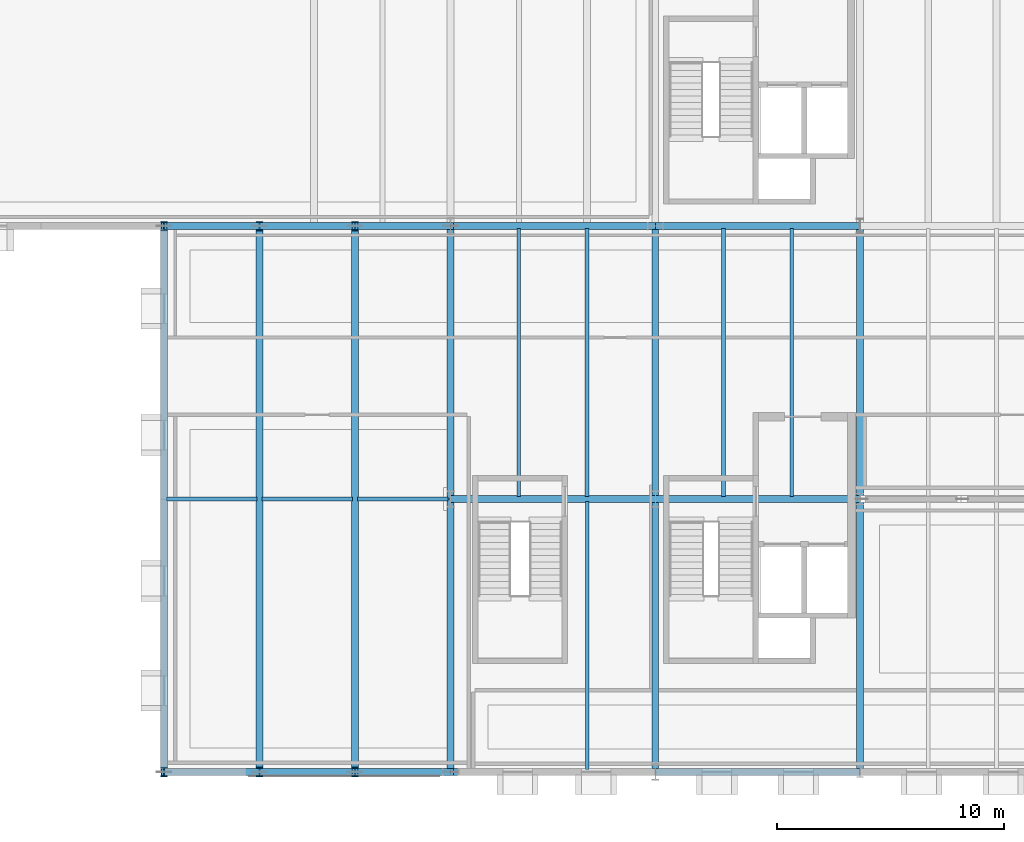
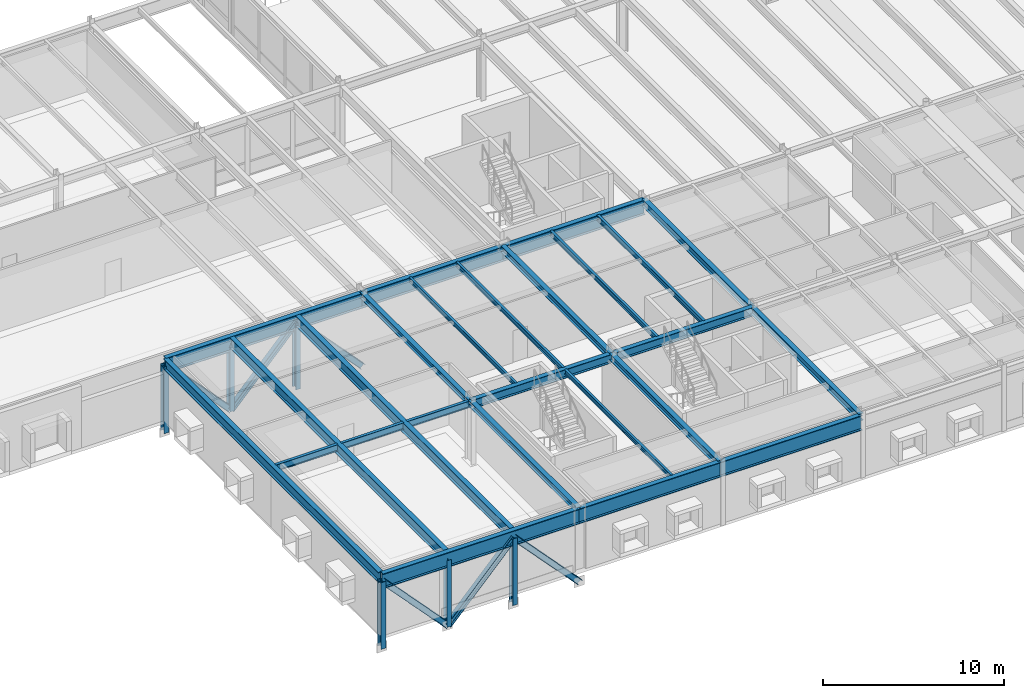
# One storey, part 19 of 127: 25 beams, 12 members.
"""IFC4 building model written with IfcOpenShell, lengths in metres."""

from ifc_helpers import new_model, si_unit, direction, frame, origin, origin_2d, place, context, subcontext, project, spatial, i_section, extrude, material, material_profile, profile_set, type_object, element, save


model = new_model("IFC4")

# Units and contexts
model_context = context("Model", 3, precision=1e-05, world=origin(), true_north=direction((0.0, 1.0)))
body_context = subcontext(model_context, "Body", "Model", "MODEL_VIEW")
ifc_project = project(units=[si_unit("LENGTHUNIT", "METRE"), si_unit("AREAUNIT", "SQUARE_METRE"), si_unit("VOLUMEUNIT", "CUBIC_METRE"), si_unit("PLANEANGLEUNIT", "RADIAN"), si_unit("MASSUNIT", "GRAM", prefix="KILO")], contexts=[model_context])

# Site, building, storey
site_placement = place(None, origin())
site = spatial("IfcSite", under=ifc_project, at=site_placement, CompositionType="ELEMENT")
building_placement = place(site_placement, origin())
building = spatial("IfcBuilding", under=site, at=building_placement, Name="Montelvaro Courts of Justice", CompositionType="ELEMENT")
storey_placement = place(building_placement, frame((0.0, 0.0, 5.39990234375)))
storey = spatial("IfcBuildingStorey", under=building, at=storey_placement, Name="L01", CompositionType="ELEMENT", Elevation=5.39990234375)

# Beams
ifc_material = material(Name="Steel S355", Category="steel")
ifc_material_profile_1 = material_profile(ifc_material, i_section(OverallWidth=0.300048828125, OverallDepth=0.389892578125, WebThickness=0.010986328125, FlangeThickness=0.01904296875, at=origin_2d()), Name="HEA 400")
ifc_profile_set_1 = profile_set([ifc_material_profile_1], Name="Steel S355")
beam_type_1 = type_object("IfcBeamType", Name="Beam_HEA400", PredefinedType="USERDEFINED", material=ifc_profile_set_1)
for number, where, z_axis, x_axis, name in (
    (1, (45.0, 0.0, 3.985107421875), (0.0, 1.0, 0.0), (-1.0, 0.0, 0.0), "Beam B-17 L01"),
    (2, (45.0, 12.0, 3.985107421875), (0.0, 1.0, 0.0), (-1.0, 0.0, 0.0), "Beam B-17 L01"),
):
    element("IfcBeam", number, at=place(storey_placement, frame(where, z_axis=z_axis, x_axis=x_axis)), inside=storey, type_object=beam_type_1, Name=name, ObjectType="GIRDER", PredefinedType="USERDEFINED", context=body_context, shape_type="SweptSolid", body=[
        extrude(i_section(OverallWidth=0.300048828125, OverallDepth=0.389892578125, WebThickness=0.010986328125, FlangeThickness=0.01904296875, at=origin_2d()), origin(), (0.0, 0.0, 1.0), 12.0),
    ])
ifc_material_profile_2 = material_profile(ifc_material, i_section(OverallWidth=0.300048828125, OverallDepth=0.43994140625, WebThickness=0.011474609375, FlangeThickness=0.02099609375, at=origin_2d()), Name="HEA 450")
ifc_profile_set_2 = profile_set([ifc_material_profile_2], Name="Steel S355")
beam_type_2 = type_object("IfcBeamType", Name="Beam_HEA450", PredefinedType="USERDEFINED", material=ifc_profile_set_2)
for number, where, z_axis, x_axis, name in (
    (3, (54.0, 0.0, 3.960205078125), (0.0, 1.0, 0.0), (-1.0, 0.0, 0.0), "Beam B-18 L01"),
    (4, (54.0, 12.0, 3.960205078125), (0.0, 1.0, 0.0), (-1.0, 0.0, 0.0), "Beam B-18 L01"),
):
    element("IfcBeam", number, at=place(storey_placement, frame(where, z_axis=z_axis, x_axis=x_axis)), inside=storey, type_object=beam_type_2, Name=name, ObjectType="GIRDER", PredefinedType="USERDEFINED", context=body_context, shape_type="SweptSolid", body=[
        extrude(i_section(OverallWidth=0.300048828125, OverallDepth=0.43994140625, WebThickness=0.011474609375, FlangeThickness=0.02099609375, at=origin_2d()), origin(), (0.0, 0.0, 1.0), 12.0),
    ])
ifc_material_profile_3 = material_profile(ifc_material, i_section(OverallWidth=0.300048828125, OverallDepth=0.489990234375, WebThickness=0.011962890625, FlangeThickness=0.02294921875, at=origin_2d()), Name="HEA 500")
ifc_profile_set_3 = profile_set([ifc_material_profile_3], Name="Steel S355")
beam_type_3 = type_object("IfcBeamType", Name="Beam_HEA500", PredefinedType="USERDEFINED", material=ifc_profile_set_3)
for number, where, z_axis, x_axis, name in (
    (5, (63.0, 0.0, 3.93505859375), (0.0, 1.0, 0.0), (-1.0, 0.0, 0.0), "Beam B-19 L01"),
    (6, (63.0, 12.0, 3.93505859375), (0.0, 1.0, 0.0), (-1.0, 0.0, 0.0), "Beam B-19 L01"),
):
    element("IfcBeam", number, at=place(storey_placement, frame(where, z_axis=z_axis, x_axis=x_axis)), inside=storey, type_object=beam_type_3, Name=name, ObjectType="GIRDER", PredefinedType="USERDEFINED", context=body_context, shape_type="SweptSolid", body=[
        extrude(i_section(OverallWidth=0.300048828125, OverallDepth=0.489990234375, WebThickness=0.011962890625, FlangeThickness=0.02294921875, at=origin_2d()), origin(), (0.0, 0.0, 1.0), 12.0),
    ])
ifc_material_profile_4 = material_profile(ifc_material, i_section(OverallWidth=0.300048828125, OverallDepth=0.590087890625, WebThickness=0.012939453125, FlangeThickness=0.02490234375, at=origin_2d()), Name="HEA 600")
ifc_profile_set_4 = profile_set([ifc_material_profile_4], Name="Steel S355")
beam_type_4 = type_object("IfcBeamType", Name="Beam_HEA600", PredefinedType="USERDEFINED", material=ifc_profile_set_4)
for number, where, z_axis, x_axis, name in (
    (7, (45.0, 12.0, 3.885009765625), (1.0, 0.0, 0.0), (0.0, 1.0, 0.0), "Beam B-21 L01"),
    (8, (54.0, 12.0, 3.885009765625), (1.0, 0.0, 0.0), (0.0, 1.0, 0.0), "Beam B-21 L01"),
):
    element("IfcBeam", number, at=place(storey_placement, frame(where, z_axis=z_axis, x_axis=x_axis)), inside=storey, type_object=beam_type_4, Name=name, ObjectType="GIRDER", PredefinedType="USERDEFINED", context=body_context, shape_type="SweptSolid", body=[
        extrude(i_section(OverallWidth=0.300048828125, OverallDepth=0.590087890625, WebThickness=0.012939453125, FlangeThickness=0.02490234375, at=origin_2d()), origin(), (0.0, 0.0, 1.0), 9.0),
    ])
ifc_material_profile_5 = material_profile(ifc_material, i_section(OverallWidth=0.300048828125, OverallDepth=0.699951171875, WebThickness=0.01708984375, FlangeThickness=0.031982421875, at=origin_2d()), Name="HEB 700")
ifc_profile_set_5 = profile_set([ifc_material_profile_5], Name="Steel S355")
beam_type_5 = type_object("IfcBeamType", Name="Beam_HEB700", PredefinedType="USERDEFINED", material=ifc_profile_set_5)
for number, where, z_axis, x_axis, name in (
    (9, (40.800048828125, 0.110107421875, 3.81005859375), (0.0, 1.0, 0.0), (-1.0, 0.0, 0.0), "Beam B-28 L01"),
    (10, (36.60009765625, 0.110107421875, 3.81005859375), (0.0, 1.0, 0.0), (-1.0, 0.0, 0.0), "Beam B-28 L01"),
    (11, (32.39990234375, 0.110107421875, 3.81005859375), (0.0, 1.0, 0.0), (-1.0, 0.0, 0.0), "Beam B-28 L01"),
):
    element("IfcBeam", number, at=place(storey_placement, frame(where, z_axis=z_axis, x_axis=x_axis)), inside=storey, type_object=beam_type_5, Name=name, ObjectType="GIRDER", PredefinedType="USERDEFINED", context=body_context, shape_type="SweptSolid", body=[
        extrude(i_section(OverallWidth=0.300048828125, OverallDepth=0.699951171875, WebThickness=0.01708984375, FlangeThickness=0.031982421875, at=origin_2d()), origin(), (0.0, 0.0, 1.0), 23.77978515625),
    ])
ifc_material_profile_6 = material_profile(ifc_material, i_section(OverallWidth=0.302001953125, OverallDepth=1.008056640625, WebThickness=0.02099609375, FlangeThickness=0.0400390625, at=origin_2d()), Name="HEM 1000")
ifc_profile_set_6 = profile_set([ifc_material_profile_6], Name="Steel S355")
beam_type_6 = type_object("IfcBeamType", Name="Beam_HEM1000", PredefinedType="USERDEFINED", material=ifc_profile_set_6)
for number, where, z_axis, x_axis, name in (
    (12, (63.0, 0.0, 3.656005859375), (-1.0, 0.0, 0.0), (0.0, -1.0, 0.0), "Pratt Cantilever Truss Chord CTR-BAR1-S-L02-BS2"),
    (13, (54.0, 0.0, 3.656005859375), (-1.0, 0.0, 0.0), (0.0, -1.0, 0.0), "Pratt Cantilever Truss Chord CTR-BAR1-S-L02-BS3"),
):
    element("IfcBeam", number, at=place(storey_placement, frame(where, z_axis=z_axis, x_axis=x_axis)), inside=storey, type_object=beam_type_6, Name=name, ObjectType="GIRDER", PredefinedType="USERDEFINED", context=body_context, shape_type="SweptSolid", body=[
        extrude(i_section(OverallWidth=0.302001953125, OverallDepth=1.008056640625, WebThickness=0.02099609375, FlangeThickness=0.0400390625, at=origin_2d()), origin(), (0.0, 0.0, 1.0), 9.0),
    ])
beam_1_placement = place(storey_placement, frame((45.0, 0.0, 3.656005859375), z_axis=(-1.0, 0.0, 0.0), x_axis=(0.0, -1.0, 0.0)))
element("IfcBeam", 14, at=beam_1_placement, inside=storey, type_object=beam_type_6, Name="Pratt Cantilever Truss Chord CTR-BAR1-S-L02-OVH", ObjectType="GIRDER", PredefinedType="USERDEFINED", context=body_context, shape_type="SweptSolid", body=[
    extrude(i_section(OverallWidth=0.302001953125, OverallDepth=1.008056640625, WebThickness=0.02099609375, FlangeThickness=0.0400390625, at=origin_2d()), origin(), (0.0, 0.0, 1.0), 12.60009765625),
])
for number, where, z_axis, x_axis, name in (
    (15, (63.0, 24.0, 3.656005859375), (-1.0, 0.0, 0.0), (0.0, -1.0, 0.0), "Pratt Cantilever Truss Chord CTR-BAR1-N-L02-BS2"),
    (16, (54.0, 24.0, 3.656005859375), (-1.0, 0.0, 0.0), (0.0, -1.0, 0.0), "Pratt Cantilever Truss Chord CTR-BAR1-N-L02-BS3"),
):
    element("IfcBeam", number, at=place(storey_placement, frame(where, z_axis=z_axis, x_axis=x_axis)), inside=storey, type_object=beam_type_6, Name=name, ObjectType="GIRDER", PredefinedType="USERDEFINED", context=body_context, shape_type="SweptSolid", body=[
        extrude(i_section(OverallWidth=0.302001953125, OverallDepth=1.008056640625, WebThickness=0.02099609375, FlangeThickness=0.0400390625, at=origin_2d()), origin(), (0.0, 0.0, 1.0), 9.0),
    ])
beam_2_placement = place(storey_placement, frame((45.0, 24.0, 3.656005859375), z_axis=(-1.0, 0.0, 0.0), x_axis=(0.0, -1.0, 0.0)))
element("IfcBeam", 17, at=beam_2_placement, inside=storey, type_object=beam_type_6, Name="Pratt Cantilever Truss Chord CTR-BAR1-N-L02-OVH", ObjectType="GIRDER", PredefinedType="USERDEFINED", context=body_context, shape_type="SweptSolid", body=[
    extrude(i_section(OverallWidth=0.302001953125, OverallDepth=1.008056640625, WebThickness=0.02099609375, FlangeThickness=0.0400390625, at=origin_2d()), origin(), (0.0, 0.0, 1.0), 12.60009765625),
])
ifc_material_profile_7 = material_profile(ifc_material, i_section(OverallWidth=0.14990234375, OverallDepth=0.300048828125, WebThickness=0.007080078125, FlangeThickness=0.0107421875, at=origin_2d()), Name="IPE 300")
ifc_profile_set_7 = profile_set([ifc_material_profile_7], Name="Steel S355")
beam_type_7 = type_object("IfcBeamType", Name="Beam_IPE300", PredefinedType="BEAM", material=ifc_profile_set_7)
for number, where, z_axis, x_axis, name in (
    (18, (51.0, 0.110107421875, 4.030029296875), (0.0, 1.0, 0.0), (-1.0, 0.0, 0.0), "Beam B-05 L01"),
    (19, (48.0, 12.110107421875, 4.030029296875), (0.0, 1.0, 0.0), (-1.0, 0.0, 0.0), "Beam B-05 L01"),
):
    element("IfcBeam", number, at=place(storey_placement, frame(where, z_axis=z_axis, x_axis=x_axis)), inside=storey, type_object=beam_type_7, Name=name, PredefinedType="BEAM", context=body_context, shape_type="SweptSolid", body=[
        extrude(i_section(OverallWidth=0.14990234375, OverallDepth=0.300048828125, WebThickness=0.007080078125, FlangeThickness=0.0107421875, at=origin_2d()), origin(), (0.0, 0.0, 1.0), 11.77978515625),
    ])
ifc_material_profile_8 = material_profile(ifc_material, i_section(OverallWidth=0.159912109375, OverallDepth=0.330078125, WebThickness=0.007568359375, FlangeThickness=0.011474609375, at=origin_2d()), Name="IPE 330")
ifc_profile_set_8 = profile_set([ifc_material_profile_8], Name="Steel S355")
beam_type_8 = type_object("IfcBeamType", Name="Beam_IPE330", PredefinedType="BEAM", material=ifc_profile_set_8)
for number, where, z_axis, x_axis, name in (
    (20, (51.0, 12.110107421875, 4.01513671875), (0.0, 1.0, 0.0), (-1.0, 0.0, 0.0), "Beam B-06 L01"),
    (21, (57.0, 12.110107421875, 4.01513671875), (0.0, 1.0, 0.0), (-1.0, 0.0, 0.0), "Beam B-06 L01"),
):
    element("IfcBeam", number, at=place(storey_placement, frame(where, z_axis=z_axis, x_axis=x_axis)), inside=storey, type_object=beam_type_8, Name=name, PredefinedType="BEAM", context=body_context, shape_type="SweptSolid", body=[
        extrude(i_section(OverallWidth=0.159912109375, OverallDepth=0.330078125, WebThickness=0.007568359375, FlangeThickness=0.011474609375, at=origin_2d()), origin(), (0.0, 0.0, 1.0), 11.77978515625),
    ])
ifc_material_profile_9 = material_profile(ifc_material, i_section(OverallWidth=0.169921875, OverallDepth=0.360107421875, WebThickness=0.008056640625, FlangeThickness=0.0126953125, at=origin_2d()), Name="IPE 360")
ifc_profile_set_9 = profile_set([ifc_material_profile_9], Name="Steel S355")
beam_type_9 = type_object("IfcBeamType", Name="Beam_IPE360", PredefinedType="BEAM", material=ifc_profile_set_9)
beam_3_placement = place(storey_placement, frame((60.0, 12.110107421875, 4.0), z_axis=(0.0, 1.0, 0.0), x_axis=(-1.0, 0.0, 0.0)))
element("IfcBeam", 22, at=beam_3_placement, inside=storey, type_object=beam_type_9, Name="Beam B-07 L01", PredefinedType="BEAM", context=body_context, shape_type="SweptSolid", body=[
    extrude(i_section(OverallWidth=0.169921875, OverallDepth=0.360107421875, WebThickness=0.008056640625, FlangeThickness=0.0126953125, at=origin_2d()), origin(), (0.0, 0.0, 1.0), 11.77978515625),
])
ifc_material_profile_10 = material_profile(ifc_material, i_section(OverallWidth=0.18994140625, OverallDepth=0.449951171875, WebThickness=0.009521484375, FlangeThickness=0.0146484375, at=origin_2d()), Name="IPE 450")
ifc_profile_set_10 = profile_set([ifc_material_profile_10], Name="Steel S355")
beam_type_10 = type_object("IfcBeamType", Name="Beam_IPE450", PredefinedType="BEAM", material=ifc_profile_set_10)
for number, where, z_axis, x_axis, name in (
    (23, (40.909912109375, 12.0, 3.93505859375), (1.0, 0.0, 0.0), (0.0, 1.0, 0.0), "Beam B-09 L01"),
    (24, (36.7099609375, 12.0, 3.93505859375), (1.0, 0.0, 0.0), (0.0, 1.0, 0.0), "Beam B-09 L01"),
    (25, (32.510009765625, 12.0, 3.93505859375), (1.0, 0.0, 0.0), (0.0, 1.0, 0.0), "Beam B-09 L01"),
):
    element("IfcBeam", number, at=place(storey_placement, frame(where, z_axis=z_axis, x_axis=x_axis)), inside=storey, type_object=beam_type_10, Name=name, PredefinedType="BEAM", context=body_context, shape_type="SweptSolid", body=[
        extrude(i_section(OverallWidth=0.18994140625, OverallDepth=0.449951171875, WebThickness=0.009521484375, FlangeThickness=0.0146484375, at=origin_2d()), origin(), (0.0, 0.0, 1.0), 3.97998046875),
    ])

# Members
ifc_material_profile_11 = material_profile(ifc_material, i_section(OverallWidth=0.300048828125, OverallDepth=0.360107421875, WebThickness=0.012451171875, FlangeThickness=0.0224609375, at=origin_2d()), Name="HEB 360")
ifc_profile_set_11 = profile_set([ifc_material_profile_11], Name="Steel S355")
member_type_1 = type_object("IfcMemberType", Name="Mem_HEB360_Brace", PredefinedType="BRACE", material=ifc_profile_set_11)
for number, where, z_axis, x_axis, name in (
    (26, (45.0, 0.0, -0.843994140625), (-0.682314010889, 0.0, 0.73105922506), (0.0, -1.0, 0.0), "Pratt Cantilever Truss Diagonal MB-01 CTR-BAR1-S-L01-D4"),
    (27, (40.800048828125, 0.0, 3.656005859375), (-0.682314010889, 0.0, -0.73105922506), (0.0, -1.0, 0.0), "Pratt Cantilever Truss Diagonal MB-01 CTR-BAR1-S-L01-D5"),
    (28, (36.60009765625, 0.0, -0.843994140625), (-0.682335207557, 0.0, 0.731039441158), (0.0, -1.0, 0.0), "Pratt Cantilever Truss Diagonal MB-01 CTR-BAR1-S-L01-D6"),
    (29, (45.0, 24.0, -0.843994140625), (-0.682314010889, 0.0, 0.73105922506), (0.0, -1.0, 0.0), "Pratt Cantilever Truss Diagonal MB-01 CTR-BAR1-N-L01-D4"),
    (30, (40.800048828125, 24.0, 3.656005859375), (-0.682314010889, 0.0, -0.73105922506), (0.0, -1.0, 0.0), "Pratt Cantilever Truss Diagonal MB-01 CTR-BAR1-N-L01-D5"),
    (31, (36.60009765625, 24.0, -0.843994140625), (-0.682335207557, 0.0, 0.731039441158), (0.0, -1.0, 0.0), "Pratt Cantilever Truss Diagonal MB-01 CTR-BAR1-N-L01-D6"),
):
    element("IfcMember", number, at=place(storey_placement, frame(where, z_axis=z_axis, x_axis=x_axis)), inside=storey, type_object=member_type_1, Name=name, PredefinedType="BRACE", context=body_context, shape_type="SweptSolid", body=[
        extrude(i_section(OverallWidth=0.300048828125, OverallDepth=0.360107421875, WebThickness=0.012451171875, FlangeThickness=0.0224609375, at=origin_2d()), origin(), (0.0, 0.0, 1.0), 6.155517578125),
    ])
ifc_material_profile_12 = material_profile(ifc_material, i_section(OverallWidth=0.300048828125, OverallDepth=0.39990234375, WebThickness=0.013427734375, FlangeThickness=0.02392578125, at=origin_2d()), Name="HEB 400")
ifc_profile_set_12 = profile_set([ifc_material_profile_12], Name="Steel S355")
member_type_2 = type_object("IfcMemberType", Name="Mem_HEB400_Post", PredefinedType="POST", material=ifc_profile_set_12)
for number, where, z_axis, x_axis, name in (
    (32, (40.800048828125, 0.0, -0.843994140625), (0.0, 0.0, 1.0), (1.0, 0.0, 0.0), "Pratt Cantilever Truss Post MP-01 CTR-BAR1-S-L01-1"),
    (33, (36.60009765625, 0.0, -0.843994140625), (0.0, 0.0, 1.0), (1.0, 0.0, 0.0), "Pratt Cantilever Truss Post MP-01 CTR-BAR1-S-L01-2"),
    (34, (32.39990234375, 0.0, -0.843994140625), (0.0, 0.0, 1.0), (1.0, 0.0, 0.0), "Pratt Cantilever Truss Post MP-01 CTR-BAR1-S-L01-3"),
    (35, (40.800048828125, 24.0, -0.843994140625), (0.0, 0.0, 1.0), (1.0, 0.0, 0.0), "Pratt Cantilever Truss Post MP-01 CTR-BAR1-N-L01-1"),
    (36, (36.60009765625, 24.0, -0.843994140625), (0.0, 0.0, 1.0), (1.0, 0.0, 0.0), "Pratt Cantilever Truss Post MP-01 CTR-BAR1-N-L01-2"),
    (37, (32.39990234375, 24.0, -0.843994140625), (0.0, 0.0, 1.0), (1.0, 0.0, 0.0), "Pratt Cantilever Truss Post MP-01 CTR-BAR1-N-L01-3"),
):
    element("IfcMember", number, at=place(storey_placement, frame(where, z_axis=z_axis, x_axis=x_axis)), inside=storey, type_object=member_type_2, Name=name, PredefinedType="POST", context=body_context, shape_type="SweptSolid", body=[
        extrude(i_section(OverallWidth=0.300048828125, OverallDepth=0.39990234375, WebThickness=0.013427734375, FlangeThickness=0.02392578125, at=origin_2d()), origin(), (0.0, 0.0, 1.0), 4.5),
    ])

save(model, "model.ifc")
